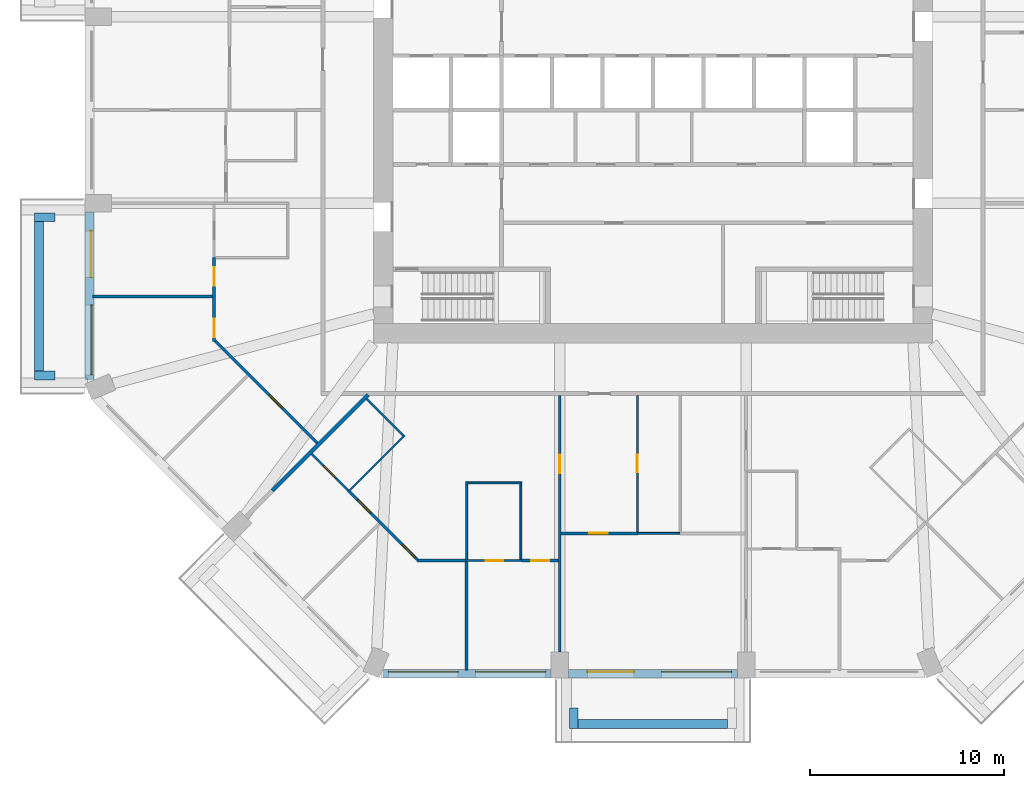
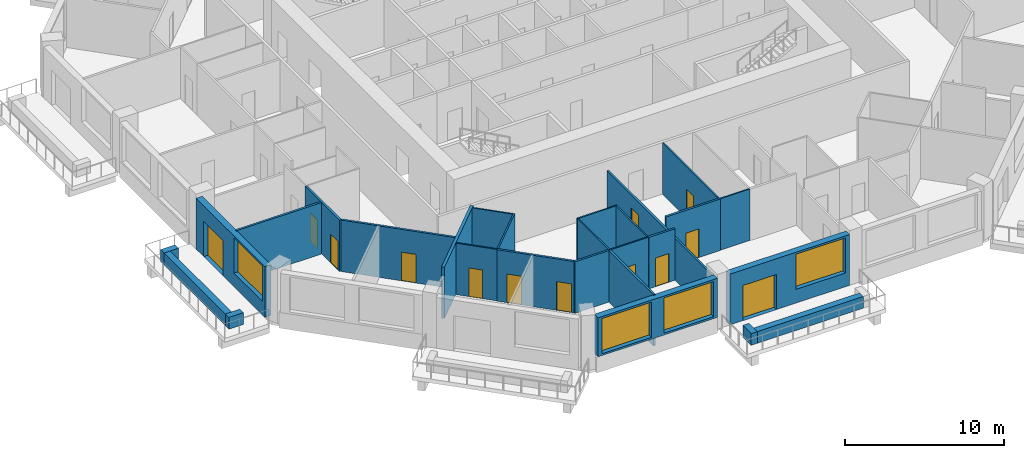
# One storey, part 3 of 13: 27 walls, 13 doors, 4 windows, 17 openings.
"""IFC4 building model written with IfcOpenShell, lengths in metres."""

from ifc_helpers import new_model, si_unit, direction, frame, frame_2d, origin, place, context, subcontext, project, spatial, rectangle, extrude, material, layer, layer_set, type_object, element, fill, save


model = new_model("IFC4")

# Units and contexts
model_context = context("Model", 3, precision=1e-05, world=origin(), true_north=direction((0.0, 1.0)))
body_context = subcontext(model_context, "Body", "Model", "MODEL_VIEW")
ifc_project = project(units=[si_unit("LENGTHUNIT", "METRE"), si_unit("AREAUNIT", "SQUARE_METRE"), si_unit("VOLUMEUNIT", "CUBIC_METRE"), si_unit("PLANEANGLEUNIT", "RADIAN"), si_unit("MASSUNIT", "GRAM", prefix="KILO")], contexts=[model_context])

# Site, building, storey
site_placement = place(None, origin())
site = spatial("IfcSite", under=ifc_project, at=site_placement, CompositionType="ELEMENT")
building_placement = place(site_placement, origin())
building = spatial("IfcBuilding", under=site, at=building_placement, Name="Msitu Wima Residences", CompositionType="ELEMENT")
storey_placement = place(building_placement, frame((0.0, 0.0, 63.300048828125)))
storey = spatial("IfcBuildingStorey", under=building, at=storey_placement, Name="L14", CompositionType="ELEMENT", Elevation=63.300048828125)

# Walls
ifc_material_1 = material(Name="Facing brick")
ifc_layer_1 = layer(ifc_material_1, 0.06494140625, Name="Facing brick")
ifc_material_2 = material(Name="Concrete C40/50", Category="concrete")
ifc_layer_2 = layer(ifc_material_2, 0.156005859375, Name="Concrete C40/50")
ifc_material_3 = material(Name="Waterproofing membrane")
ifc_layer_3 = layer(ifc_material_3, 0.00390625, Name="Waterproofing membrane")
ifc_material_4 = material(Name="Planting soil and planting")
ifc_layer_4 = layer(ifc_material_4, 0.22509765625, Name="Planting soil and planting")
ifc_layer_set_1 = layer_set([ifc_layer_1, ifc_layer_2, ifc_layer_3, ifc_layer_4], Name="Concrete C40/50")
wall_type_1 = type_object("IfcWallType", Name="Balcony planter PLANTER PL450", PredefinedType="USERDEFINED", material=ifc_layer_set_1)
wall_1_placement = place(storey_placement, frame((-31.625, -5.75, 0.0), z_axis=(0.0, 0.0, 1.0), x_axis=(0.0, -1.0, 0.0)))
element("IfcWall", 1, at=wall_1_placement, inside=storey, type_object=wall_type_1, Name="Balcony planter W2 L14", ObjectType="PLANTER", PredefinedType="USERDEFINED", context=body_context, shape_type="SweptSolid", body=[
    extrude(rectangle(XDim=7.699951171875, YDim=0.449951171875, at=frame_2d((3.85009765625, 0.0))), origin(), (0.0, 0.0, 1.0), 0.89990234375),
])
for number, where, z_axis, x_axis, name in (
    (2, (-30.800048828125, -5.52490234375, 0.0), (0.0, 0.0, 1.0), (-1.0, 0.0, 0.0), "Balcony planter W2 L14"),
    (3, (-30.800048828125, -13.675048828125, 0.0), (0.0, 0.0, 1.0), (-1.0, 0.0, 0.0), "Balcony planter W2 L14"),
):
    element("IfcWall", number, at=place(storey_placement, frame(where, z_axis=z_axis, x_axis=x_axis)), inside=storey, type_object=wall_type_1, Name=name, ObjectType="PLANTER", PredefinedType="USERDEFINED", context=body_context, shape_type="SweptSolid", body=[
        extrude(rectangle(XDim=1.050048828125, YDim=0.449951171875, at=frame_2d((0.52490234375, 0.0))), origin(), (0.0, 0.0, 1.0), 0.89990234375),
    ])
wall_2_placement = place(storey_placement, frame((-3.85009765625, -31.625, 0.0), z_axis=(0.0, 0.0, 1.0), x_axis=(1.0, 0.0, 0.0)))
element("IfcWall", 4, at=wall_2_placement, inside=storey, type_object=wall_type_1, Name="Balcony planter S1 L14", ObjectType="PLANTER", PredefinedType="USERDEFINED", context=body_context, shape_type="SweptSolid", body=[
    extrude(rectangle(XDim=7.7001953125, YDim=0.449951171875, at=frame_2d((3.85009765625, 0.0))), origin(), (0.0, 0.0, 1.0), 0.89990234375),
])
wall_3_placement = place(storey_placement, frame((-4.074951171875, -30.800048828125, 0.0), z_axis=(0.0, 0.0, 1.0), x_axis=(0.0, -1.0, 0.0)))
element("IfcWall", 5, at=wall_3_placement, inside=storey, type_object=wall_type_1, Name="Balcony planter S1 L14", ObjectType="PLANTER", PredefinedType="USERDEFINED", context=body_context, shape_type="SweptSolid", body=[
    extrude(rectangle(XDim=1.050048828125, YDim=0.449951171875, at=frame_2d((0.52490234375, 0.0))), origin(), (0.0, 0.0, 1.0), 0.89990234375),
])

# Wall, openings, door, window
ifc_material_5 = material(Name="Brick (red buff mix)", Category="masonry")
ifc_layer_5 = layer(ifc_material_5, 0.449951171875)
ifc_layer_set_2 = layer_set([ifc_layer_5], Name="Brick (red buff mix)")
wall_type_2 = type_object("IfcWallType", Name="Brick infill wall BW450", PredefinedType="SOLIDWALL", material=ifc_layer_set_2)
wall_4_placement = place(storey_placement, frame((-29.02490234375, -5.25, 0.0), z_axis=(0.0, 0.0, 1.0), x_axis=(0.0, -1.0, 0.0)))
wall_4 = element("IfcWall", 6, at=wall_4_placement, inside=storey, type_object=wall_type_2, Name="Brick infill wall L14 W2", PredefinedType="SOLIDWALL", context=body_context, shape_type="SweptSolid", body=[
    extrude(rectangle(XDim=8.662841796875, YDim=0.449951171875, at=frame_2d((4.33154296875, 0.0))), origin(), (0.0, 0.0, 1.0), 3.89990234375),
])
opening_1_placement = place(wall_4_placement, frame((0.9658203125, 0.0, 0.0)))
opening_1 = element("IfcOpeningElement", 7, at=opening_1_placement, cuts=wall_4, Name="Opening D13-15.010", PredefinedType="OPENING", context=body_context, shape_type="SweptSolid", body=[
    extrude(rectangle(XDim=2.39990234375, YDim=2.699951171875, at=frame_2d((1.199951171875, 1.35009765625))), frame((0.0, 0.23486328125, 0.0), z_axis=(0.0, -1.0, 0.0), x_axis=(1.0, 0.0, 0.0)), (0.0, 0.0, 1.0), 0.469970703125),
])
opening_2_placement = place(wall_4_placement, frame((4.781494140625, 0.0, 1.050048828125)))
opening_2 = element("IfcOpeningElement", 8, at=opening_2_placement, cuts=wall_4, Name="Opening W13-15.030", PredefinedType="OPENING", context=body_context, shape_type="SweptSolid", body=[
    extrude(rectangle(XDim=3.60009765625, YDim=2.699951171875, at=frame_2d((1.800048828125, 1.35009765625))), frame((0.0, 0.23486328125, 0.0), z_axis=(0.0, -1.0, 0.0), x_axis=(1.0, 0.0, 0.0)), (0.0, 0.0, 1.0), 0.469970703125),
])
ifc_material_6 = material(Name="Anodised aluminium, bronze finish, clear low-emissivity double glazing", Category="aluminium")
door_type_1 = type_object("IfcDoorType", Name="Balcony door D2400x2700", OperationType="SLIDING_TO_LEFT", PredefinedType="DOOR", material=ifc_material_6)
door_1_placement = place(opening_1_placement, origin())
door_1 = element("IfcDoor", 9, at=door_1_placement, inside=storey, type_object=door_type_1, Name="Balcony door L14 W2", OperationType="SINGLE_SWING_LEFT", OverallHeight=2.699951171875, OverallWidth=2.39990234375, PredefinedType="DOOR", context=body_context, shape_type="SweptSolid", body=[
    extrude(rectangle(XDim=2.39990234375, YDim=2.699951171875, at=frame_2d((1.199951171875, 1.35009765625))), frame((0.0, 0.1298828125, 0.0), z_axis=(0.0, -1.0, 0.0), x_axis=(1.0, 0.0, 0.0)), (0.0, 0.0, 1.0), 0.050048828125),
])
fill(opening_1, door_1)
window_type = type_object("IfcWindowType", Name="Window W3600x2700", PartitioningType="DOUBLE_PANEL_VERTICAL", PredefinedType="WINDOW", material=ifc_material_6)
window_1_placement = place(opening_2_placement, origin())
window_1 = element("IfcWindow", 10, at=window_1_placement, inside=storey, type_object=window_type, Name="Window L14 W2.2", OverallHeight=2.699951171875, OverallWidth=3.60009765625, PartitioningType="SINGLE_PANEL", PredefinedType="WINDOW", context=body_context, shape_type="SweptSolid", body=[
    extrude(rectangle(XDim=3.60009765625, YDim=2.699951171875, at=frame_2d((1.800048828125, 1.35009765625))), frame((0.0, 0.135009765625, 0.0), z_axis=(0.0, -1.0, 0.0), x_axis=(1.0, 0.0, 0.0)), (0.0, 0.0, 1.0), 0.06005859375),
])
fill(opening_2, window_1)

# Wall, openings, windows
wall_5_placement = place(storey_placement, frame((-13.912841796875, -29.02490234375, 0.89990234375), z_axis=(0.0, 0.0, 1.0), x_axis=(1.0, 0.0, 0.0)))
wall_5 = element("IfcWall", 11, at=wall_5_placement, inside=storey, type_object=wall_type_2, Name="Brick infill wall L14 S0", PredefinedType="SOLIDWALL", context=body_context, shape_type="SweptSolid", body=[
    extrude(rectangle(XDim=8.662841796875, YDim=0.449951171875, at=frame_2d((4.33154296875, 0.0))), origin(), (0.0, 0.0, 1.0), 3.0),
])
opening_3_placement = place(wall_5_placement, frame((0.281494140625, 0.0, 0.14990234375)))
opening_3 = element("IfcOpeningElement", 12, at=opening_3_placement, cuts=wall_5, Name="Opening W13-15.016", PredefinedType="OPENING", context=body_context, shape_type="SweptSolid", body=[
    extrude(rectangle(XDim=3.60009765625, YDim=2.699951171875, at=frame_2d((1.800048828125, 1.35009765625))), frame((0.0, 0.23486328125, 0.0), z_axis=(0.0, -1.0, 0.0), x_axis=(1.0, 0.0, 0.0)), (0.0, 0.0, 1.0), 0.469970703125),
])
opening_4_placement = place(wall_5_placement, frame((4.781494140625, 0.0, 0.14990234375)))
opening_4 = element("IfcOpeningElement", 13, at=opening_4_placement, cuts=wall_5, Name="Opening W13-15.017", PredefinedType="OPENING", context=body_context, shape_type="SweptSolid", body=[
    extrude(rectangle(XDim=3.60009765625, YDim=2.699951171875, at=frame_2d((1.800048828125, 1.35009765625))), frame((0.0, 0.23486328125, 0.0), z_axis=(0.0, -1.0, 0.0), x_axis=(1.0, 0.0, 0.0)), (0.0, 0.0, 1.0), 0.469970703125),
])
window_2_placement = place(opening_3_placement, origin())
window_2 = element("IfcWindow", 14, at=window_2_placement, inside=storey, type_object=window_type, Name="Window L14 S0.1", OverallHeight=2.699951171875, OverallWidth=3.60009765625, PartitioningType="SINGLE_PANEL", PredefinedType="WINDOW", context=body_context, shape_type="SweptSolid", body=[
    extrude(rectangle(XDim=3.60009765625, YDim=2.699951171875, at=frame_2d((1.800048828125, 1.35009765625))), frame((0.0, 0.135009765625, 0.0), z_axis=(0.0, -1.0, 0.0), x_axis=(1.0, 0.0, 0.0)), (0.0, 0.0, 1.0), 0.06005859375),
])
fill(opening_3, window_2)
window_3_placement = place(opening_4_placement, origin())
window_3 = element("IfcWindow", 15, at=window_3_placement, inside=storey, type_object=window_type, Name="Window L14 S0.2", OverallHeight=2.699951171875, OverallWidth=3.60009765625, PartitioningType="SINGLE_PANEL", PredefinedType="WINDOW", context=body_context, shape_type="SweptSolid", body=[
    extrude(rectangle(XDim=3.60009765625, YDim=2.699951171875, at=frame_2d((1.800048828125, 1.35009765625))), frame((0.0, 0.135009765625, 0.0), z_axis=(0.0, -1.0, 0.0), x_axis=(1.0, 0.0, 0.0)), (0.0, 0.0, 1.0), 0.06005859375),
])
fill(opening_4, window_3)

# Wall, openings, door, window
wall_6_placement = place(storey_placement, frame((-4.35009765625, -29.02490234375, 0.0), z_axis=(0.0, 0.0, 1.0), x_axis=(1.0, 0.0, 0.0)))
wall_6 = element("IfcWall", 16, at=wall_6_placement, inside=storey, type_object=wall_type_2, Name="Brick infill wall L14 S1", PredefinedType="SOLIDWALL", context=body_context, shape_type="SweptSolid", body=[
    extrude(rectangle(XDim=8.7001953125, YDim=0.449951171875, at=frame_2d((4.35009765625, 0.0))), origin(), (0.0, 0.0, 1.0), 3.89990234375),
])
opening_5_placement = place(wall_6_placement, frame((0.97509765625, 0.0, 0.0)))
opening_5 = element("IfcOpeningElement", 17, at=opening_5_placement, cuts=wall_6, Name="Opening D13-15.006", PredefinedType="OPENING", context=body_context, shape_type="SweptSolid", body=[
    extrude(rectangle(XDim=2.39990234375, YDim=2.699951171875, at=frame_2d((1.199951171875, 1.35009765625))), frame((0.0, 0.23486328125, 0.0), z_axis=(0.0, -1.0, 0.0), x_axis=(1.0, 0.0, 0.0)), (0.0, 0.0, 1.0), 0.469970703125),
])
opening_6_placement = place(wall_6_placement, frame((4.800048828125, 0.0, 1.050048828125)))
opening_6 = element("IfcOpeningElement", 18, at=opening_6_placement, cuts=wall_6, Name="Opening W13-15.018", PredefinedType="OPENING", context=body_context, shape_type="SweptSolid", body=[
    extrude(rectangle(XDim=3.60009765625, YDim=2.699951171875, at=frame_2d((1.800048828125, 1.35009765625))), frame((0.0, 0.23486328125, 0.0), z_axis=(0.0, -1.0, 0.0), x_axis=(1.0, 0.0, 0.0)), (0.0, 0.0, 1.0), 0.469970703125),
])
door_2_placement = place(opening_5_placement, origin())
door_2 = element("IfcDoor", 19, at=door_2_placement, inside=storey, type_object=door_type_1, Name="Balcony door L14 S1", OperationType="SINGLE_SWING_LEFT", OverallHeight=2.699951171875, OverallWidth=2.39990234375, PredefinedType="DOOR", context=body_context, shape_type="SweptSolid", body=[
    extrude(rectangle(XDim=2.39990234375, YDim=2.699951171875, at=frame_2d((1.199951171875, 1.35009765625))), frame((0.0, 0.1298828125, 0.0), z_axis=(0.0, -1.0, 0.0), x_axis=(1.0, 0.0, 0.0)), (0.0, 0.0, 1.0), 0.050048828125),
])
fill(opening_5, door_2)
window_4_placement = place(opening_6_placement, origin())
window_4 = element("IfcWindow", 20, at=window_4_placement, inside=storey, type_object=window_type, Name="Window L14 S1.2", OverallHeight=2.699951171875, OverallWidth=3.60009765625, PartitioningType="SINGLE_PANEL", PredefinedType="WINDOW", context=body_context, shape_type="SweptSolid", body=[
    extrude(rectangle(XDim=3.60009765625, YDim=2.699951171875, at=frame_2d((1.800048828125, 1.35009765625))), frame((0.0, 0.135009765625, 0.0), z_axis=(0.0, -1.0, 0.0), x_axis=(1.0, 0.0, 0.0)), (0.0, 0.0, 1.0), 0.06005859375),
])
fill(opening_6, window_4)

# Wall
ifc_material_7 = material(Name="Plaster")
ifc_layer_6 = layer(ifc_material_7, 0.011962890625, Name="Plaster")
ifc_material_8 = material(Name="Concrete blockwork", Category="masonry")
ifc_layer_7 = layer(ifc_material_8, 0.1259765625, Name="Concrete blockwork")
ifc_layer_8 = layer(ifc_material_7, 0.011962890625, Name="Plaster")
ifc_layer_set_3 = layer_set([ifc_layer_6, ifc_layer_7, ifc_layer_8], Name="Concrete blockwork")
wall_type_3 = type_object("IfcWallType", Name="Partition PW150", PredefinedType="PARTITIONING", material=ifc_layer_set_3)
wall_7_placement = place(storey_placement, frame((-28.85498046875, -9.60009765625, 0.0), z_axis=(0.0, 0.0, 1.0), x_axis=(1.0, 0.0, 0.0)))
element("IfcWall", 21, at=wall_7_placement, inside=storey, type_object=wall_type_3, Name="Partition", PredefinedType="PARTITIONING", context=body_context, shape_type="SweptSolid", body=[
    extrude(rectangle(XDim=6.179931640625, YDim=0.14990234375, at=frame_2d((3.08984375, 0.0))), origin(), (0.0, 0.0, 1.0), 3.949951171875),
])

# Wall, openings, doors
wall_8_placement = place(storey_placement, frame((-22.60009765625, -11.906982421875, 0.0), z_axis=(0.0, 0.0, 1.0), x_axis=(0.0, 1.0, 0.0)))
wall_8 = element("IfcWall", 22, at=wall_8_placement, inside=storey, type_object=wall_type_3, Name="Partition", PredefinedType="PARTITIONING", context=body_context, shape_type="SweptSolid", body=[
    extrude(rectangle(XDim=4.306884765625, YDim=0.14990234375, at=frame_2d((2.1533203125, 0.0))), origin(), (0.0, 0.0, 1.0), 3.949951171875),
])
opening_7_placement = place(wall_8_placement, frame((2.85009765625, 0.0, 0.0)))
opening_7 = element("IfcOpeningElement", 23, at=opening_7_placement, cuts=wall_8, Name="Opening D13-15.052", PredefinedType="OPENING", context=body_context, shape_type="SweptSolid", body=[
    extrude(rectangle(XDim=0.949951171875, YDim=2.199951171875, at=frame_2d((0.47509765625, 1.10009765625))), frame((0.0, 0.0849609375, 0.0), z_axis=(0.0, -1.0, 0.0), x_axis=(1.0, 0.0, 0.0)), (0.0, 0.0, 1.0), 0.169921875),
])
opening_8_placement = place(wall_8_placement, frame((0.199951171875, 0.0, 0.0)))
opening_8 = element("IfcOpeningElement", 24, at=opening_8_placement, cuts=wall_8, Name="Opening D13-15.055", PredefinedType="OPENING", context=body_context, shape_type="SweptSolid", body=[
    extrude(rectangle(XDim=0.949951171875, YDim=2.199951171875, at=frame_2d((0.47509765625, 1.10009765625))), frame((0.0, 0.0849609375, 0.0), z_axis=(0.0, -1.0, 0.0), x_axis=(1.0, 0.0, 0.0)), (0.0, 0.0, 1.0), 0.169921875),
])
ifc_material_9 = material(Name="Timber flush door", Category="wood")
door_type_2 = type_object("IfcDoorType", Name="Room door D12 950x2200", OperationType="SINGLE_SWING_LEFT", PredefinedType="DOOR", material=ifc_material_9)
door_3_placement = place(opening_7_placement, origin())
door_3 = element("IfcDoor", 25, at=door_3_placement, inside=storey, type_object=door_type_2, Name="Room door", OperationType="SINGLE_SWING_LEFT", OverallHeight=2.199951171875, OverallWidth=0.949951171875, PredefinedType="DOOR", context=body_context, shape_type="SweptSolid", body=[
    extrude(rectangle(XDim=0.949951171875, YDim=2.199951171875, at=frame_2d((0.47509765625, 1.10009765625))), frame((0.0, 0.02490234375, 0.0), z_axis=(0.0, -1.0, 0.0), x_axis=(1.0, 0.0, 0.0)), (0.0, 0.0, 1.0), 0.050048828125),
])
fill(opening_7, door_3)
door_4_placement = place(opening_8_placement, origin())
door_4 = element("IfcDoor", 26, at=door_4_placement, inside=storey, type_object=door_type_2, Name="Room door", OperationType="SINGLE_SWING_RIGHT", OverallHeight=2.199951171875, OverallWidth=0.949951171875, PredefinedType="DOOR", context=body_context, shape_type="SweptSolid", body=[
    extrude(rectangle(XDim=0.949951171875, YDim=2.199951171875, at=frame_2d((0.47509765625, 1.10009765625))), frame((0.0, 0.02490234375, 0.0), z_axis=(0.0, -1.0, 0.0), x_axis=(1.0, 0.0, 0.0)), (0.0, 0.0, 1.0), 0.050048828125),
])
fill(opening_8, door_4)

# Wall, opening, door
wall_9_placement = place(storey_placement, frame((-22.546875, -11.885009765625, 0.0), z_axis=(0.0, 0.0, 1.0), x_axis=(0.707106781187, -0.707106781187, 0.0)))
wall_9 = element("IfcWall", 27, at=wall_9_placement, inside=storey, type_object=wall_type_3, Name="Partition", PredefinedType="PARTITIONING", context=body_context, shape_type="SweptSolid", body=[
    extrude(rectangle(XDim=7.439208984375, YDim=0.14990234375, at=frame_2d((3.7197265625, 0.0))), origin(), (0.0, 0.0, 1.0), 3.949951171875),
])
opening_9_placement = place(wall_9_placement, frame((3.949951171875, 0.0, 0.0)))
opening_9 = element("IfcOpeningElement", 28, at=opening_9_placement, cuts=wall_9, Name="Opening D13-15.054", PredefinedType="OPENING", context=body_context, shape_type="SweptSolid", body=[
    extrude(rectangle(XDim=0.949951171875, YDim=2.199951171875, at=frame_2d((0.47509765625, 1.10009765625))), frame((0.0, 0.0849609375, 0.0), z_axis=(0.0, -1.0, 0.0), x_axis=(1.0, 0.0, 0.0)), (0.0, 0.0, 1.0), 0.169921875),
])
door_5_placement = place(opening_9_placement, origin())
door_5 = element("IfcDoor", 29, at=door_5_placement, inside=storey, type_object=door_type_2, Name="Room door", OperationType="SINGLE_SWING_RIGHT", OverallHeight=2.199951171875, OverallWidth=0.949951171875, PredefinedType="DOOR", context=body_context, shape_type="SweptSolid", body=[
    extrude(rectangle(XDim=0.949951171875, YDim=2.199951171875, at=frame_2d((0.47509765625, 1.10009765625))), frame((0.0, 0.02490234375, 0.0), z_axis=(0.0, -1.0, 0.0), x_axis=(1.0, 0.0, 0.0)), (0.0, 0.0, 1.0), 0.050048828125),
])
fill(opening_9, door_5)

# Wall, openings, doors
wall_10_placement = place(storey_placement, frame((-15.674560546875, -19.60595703125, 0.0), z_axis=(0.0, 0.0, 1.0), x_axis=(0.707106781187, -0.707106781187, 0.0)))
wall_10 = element("IfcWall", 30, at=wall_10_placement, inside=storey, type_object=wall_type_3, Name="Partition", PredefinedType="PARTITIONING", context=body_context, shape_type="SweptSolid", body=[
    extrude(rectangle(XDim=5.0078125, YDim=0.14990234375, at=frame_2d((2.50390625, 0.0))), origin(), (0.0, 0.0, 1.0), 3.949951171875),
])
opening_10_placement = place(wall_10_placement, frame((0.64990234375, 0.0, 0.0)))
opening_10 = element("IfcOpeningElement", 31, at=opening_10_placement, cuts=wall_10, Name="Opening D13-15.068", PredefinedType="OPENING", context=body_context, shape_type="SweptSolid", body=[
    extrude(rectangle(XDim=0.949951171875, YDim=2.199951171875, at=frame_2d((0.47509765625, 1.10009765625))), frame((0.0, 0.0849609375, 0.0), z_axis=(0.0, -1.0, 0.0), x_axis=(1.0, 0.0, 0.0)), (0.0, 0.0, 1.0), 0.169921875),
])
opening_11_placement = place(wall_10_placement, frame((3.89990234375, 0.0, 0.0)))
opening_11 = element("IfcOpeningElement", 32, at=opening_11_placement, cuts=wall_10, Name="Opening D13-15.073", PredefinedType="OPENING", context=body_context, shape_type="SweptSolid", body=[
    extrude(rectangle(XDim=0.949951171875, YDim=2.199951171875, at=frame_2d((0.47509765625, 1.10009765625))), frame((0.0, 0.0849609375, 0.0), z_axis=(0.0, -1.0, 0.0), x_axis=(1.0, 0.0, 0.0)), (0.0, 0.0, 1.0), 0.169921875),
])
door_6_placement = place(opening_10_placement, origin())
door_6 = element("IfcDoor", 33, at=door_6_placement, inside=storey, type_object=door_type_2, Name="Room door", OperationType="SINGLE_SWING_LEFT", OverallHeight=2.199951171875, OverallWidth=0.949951171875, PredefinedType="DOOR", context=body_context, shape_type="SweptSolid", body=[
    extrude(rectangle(XDim=0.949951171875, YDim=2.199951171875, at=frame_2d((0.47509765625, 1.10009765625))), frame((0.0, 0.02490234375, 0.0), z_axis=(0.0, -1.0, 0.0), x_axis=(1.0, 0.0, 0.0)), (0.0, 0.0, 1.0), 0.050048828125),
])
fill(opening_10, door_6)
door_7_placement = place(opening_11_placement, origin())
door_7 = element("IfcDoor", 34, at=door_7_placement, inside=storey, type_object=door_type_2, Name="Room door", OperationType="SINGLE_SWING_RIGHT", OverallHeight=2.199951171875, OverallWidth=0.949951171875, PredefinedType="DOOR", context=body_context, shape_type="SweptSolid", body=[
    extrude(rectangle(XDim=0.949951171875, YDim=2.199951171875, at=frame_2d((0.47509765625, 1.10009765625))), frame((0.0, 0.02490234375, 0.0), z_axis=(0.0, -1.0, 0.0), x_axis=(1.0, 0.0, 0.0)), (0.0, 0.0, 1.0), 0.050048828125),
])
fill(opening_11, door_7)

# Walls
wall_11_placement = place(storey_placement, frame((-12.155517578125, -23.199951171875, 0.0), z_axis=(0.0, 0.0, 1.0), x_axis=(1.0, 0.0, 0.0)))
element("IfcWall", 35, at=wall_11_placement, inside=storey, type_object=wall_type_3, Name="Partition", PredefinedType="PARTITIONING", context=body_context, shape_type="SweptSolid", body=[
    extrude(rectangle(XDim=2.535400390625, YDim=0.14990234375, at=frame_2d((1.267578125, 0.0))), origin(), (0.0, 0.0, 1.0), 3.949951171875),
])
wall_12_placement = place(storey_placement, frame((-9.60009765625, -28.85498046875, 0.0), z_axis=(0.0, 0.0, 1.0), x_axis=(0.0, 1.0, 0.0)))
element("IfcWall", 36, at=wall_12_placement, inside=storey, type_object=wall_type_3, Name="Partition", PredefinedType="PARTITIONING", context=body_context, shape_type="SweptSolid", body=[
    extrude(rectangle(XDim=5.675048828125, YDim=0.14990234375, at=frame_2d((2.83740234375, 0.0))), origin(), (0.0, 0.0, 1.0), 3.949951171875),
])

# Wall, opening, door
wall_13_placement = place(storey_placement, frame((-6.780029296875, -23.199951171875, 0.0), z_axis=(0.0, 0.0, 1.0), x_axis=(1.0, 0.0, 0.0)))
wall_13 = element("IfcWall", 37, at=wall_13_placement, inside=storey, type_object=wall_type_3, Name="Partition", PredefinedType="PARTITIONING", context=body_context, shape_type="SweptSolid", body=[
    extrude(rectangle(XDim=1.905029296875, YDim=0.14990234375, at=frame_2d((0.95263671875, 0.0))), origin(), (0.0, 0.0, 1.0), 3.949951171875),
])
opening_12_placement = place(wall_13_placement, frame((0.5, 0.0, 0.0)))
opening_12 = element("IfcOpeningElement", 38, at=opening_12_placement, cuts=wall_13, Name="Opening D13-15.070", PredefinedType="OPENING", context=body_context, shape_type="SweptSolid", body=[
    extrude(rectangle(XDim=0.949951171875, YDim=2.199951171875, at=frame_2d((0.47509765625, 1.10009765625))), frame((0.0, 0.0849609375, 0.0), z_axis=(0.0, -1.0, 0.0), x_axis=(1.0, 0.0, 0.0)), (0.0, 0.0, 1.0), 0.169921875),
])
door_8_placement = place(opening_12_placement, origin())
door_8 = element("IfcDoor", 39, at=door_8_placement, inside=storey, type_object=door_type_2, Name="Room door", OperationType="SINGLE_SWING_LEFT", OverallHeight=2.199951171875, OverallWidth=0.949951171875, PredefinedType="DOOR", context=body_context, shape_type="SweptSolid", body=[
    extrude(rectangle(XDim=0.949951171875, YDim=2.199951171875, at=frame_2d((0.47509765625, 1.10009765625))), frame((0.0, 0.02490234375, 0.0), z_axis=(0.0, -1.0, 0.0), x_axis=(1.0, 0.0, 0.0)), (0.0, 0.0, 1.0), 0.050048828125),
])
fill(opening_12, door_8)

wall_14_placement = place(storey_placement, frame((-4.800048828125, -27.89990234375, 0.0), z_axis=(0.0, 0.0, 1.0), x_axis=(0.0, 1.0, 0.0)))
wall_14 = element("IfcWall", 40, at=wall_14_placement, inside=storey, type_object=wall_type_3, Name="Partition", PredefinedType="PARTITIONING", context=body_context, shape_type="SweptSolid", body=[
    extrude(rectangle(XDim=13.199951171875, YDim=0.14990234375, at=frame_2d((6.60009765625, 0.0))), origin(), (0.0, 0.0, 1.0), 3.199951171875),
])
opening_13_placement = place(wall_14_placement, frame((9.199951171875, 0.0, 0.0)))
opening_13 = element("IfcOpeningElement", 41, at=opening_13_placement, cuts=wall_14, Name="Opening D13-15.065", PredefinedType="OPENING", context=body_context, shape_type="SweptSolid", body=[
    extrude(rectangle(XDim=0.949951171875, YDim=2.199951171875, at=frame_2d((0.47509765625, 1.10009765625))), frame((0.0, 0.0849609375, 0.0), z_axis=(0.0, -1.0, 0.0), x_axis=(1.0, 0.0, 0.0)), (0.0, 0.0, 1.0), 0.169921875),
])
door_9_placement = place(opening_13_placement, origin())
door_9 = element("IfcDoor", 42, at=door_9_placement, inside=storey, type_object=door_type_2, Name="Room door", OperationType="SINGLE_SWING_RIGHT", OverallHeight=2.199951171875, OverallWidth=0.949951171875, PredefinedType="DOOR", context=body_context, shape_type="SweptSolid", body=[
    extrude(rectangle(XDim=0.949951171875, YDim=2.199951171875, at=frame_2d((0.47509765625, 1.10009765625))), frame((0.0, 0.02490234375, 0.0), z_axis=(0.0, -1.0, 0.0), x_axis=(1.0, 0.0, 0.0)), (0.0, 0.0, 1.0), 0.050048828125),
])
fill(opening_13, door_9)

wall_15_placement = place(storey_placement, frame((-4.72509765625, -21.800048828125, 0.0), z_axis=(0.0, 0.0, 1.0), x_axis=(1.0, 0.0, 0.0)))
wall_15 = element("IfcWall", 43, at=wall_15_placement, inside=storey, type_object=wall_type_3, Name="Partition", PredefinedType="PARTITIONING", context=body_context, shape_type="SweptSolid", body=[
    extrude(rectangle(XDim=3.945068359375, YDim=0.14990234375, at=frame_2d((1.97265625, 0.0))), origin(), (0.0, 0.0, 1.0), 3.949951171875),
])
opening_14_placement = place(wall_15_placement, frame((1.449951171875, 0.0, 0.0)))
opening_14 = element("IfcOpeningElement", 44, at=opening_14_placement, cuts=wall_15, Name="Opening D13-15.066", PredefinedType="OPENING", context=body_context, shape_type="SweptSolid", body=[
    extrude(rectangle(XDim=0.949951171875, YDim=2.199951171875, at=frame_2d((0.47509765625, 1.10009765625))), frame((0.0, 0.0849609375, 0.0), z_axis=(0.0, -1.0, 0.0), x_axis=(1.0, 0.0, 0.0)), (0.0, 0.0, 1.0), 0.169921875),
])
door_10_placement = place(opening_14_placement, origin())
door_10 = element("IfcDoor", 45, at=door_10_placement, inside=storey, type_object=door_type_2, Name="Room door", OperationType="SINGLE_SWING_RIGHT", OverallHeight=2.199951171875, OverallWidth=0.949951171875, PredefinedType="DOOR", context=body_context, shape_type="SweptSolid", body=[
    extrude(rectangle(XDim=0.949951171875, YDim=2.199951171875, at=frame_2d((0.47509765625, 1.10009765625))), frame((0.0, 0.02490234375, 0.0), z_axis=(0.0, -1.0, 0.0), x_axis=(1.0, 0.0, 0.0)), (0.0, 0.0, 1.0), 0.050048828125),
])
fill(opening_14, door_10)

# Wall
ifc_layer_9 = layer(ifc_material_7, 0.011962890625, Name="Plaster")
ifc_material_10 = material(Name="Dense concrete blockwork", Category="masonry")
ifc_layer_10 = layer(ifc_material_10, 0.176025390625, Name="Dense concrete blockwork")
ifc_layer_11 = layer(ifc_material_7, 0.011962890625, Name="Plaster")
ifc_layer_set_4 = layer_set([ifc_layer_9, ifc_layer_10, ifc_layer_11], Name="Dense concrete blockwork")
wall_type_4 = type_object("IfcWallType", Name="Party wall PW200", PredefinedType="PARTITIONING", material=ifc_layer_set_4)
wall_16_placement = place(storey_placement, frame((-19.605712890625, -19.605712890625, 0.0), z_axis=(0.0, 0.0, 1.0), x_axis=(0.707106781187, 0.707106781187, 0.0)))
element("IfcWall", 46, at=wall_16_placement, inside=storey, type_object=wall_type_4, Name="Party wall", PredefinedType="PARTITIONING", context=body_context, shape_type="SweptSolid", body=[
    extrude(rectangle(XDim=6.979248046875, YDim=0.199951171875, at=frame_2d((3.48974609375, 0.0))), origin(), (0.0, 0.0, 1.0), 3.949951171875),
])

# Wall, opening, door
ifc_material_11 = material(Name="Ceramic tiles")
ifc_layer_12 = layer(ifc_material_11, 0.008056640625, Name="Ceramic tiles")
ifc_material_12 = material(Name="Moisture-resistant board")
ifc_layer_13 = layer(ifc_material_12, 0.012451171875, Name="Moisture-resistant board")
ifc_material_13 = material(Name="Light-gauge stud framing with mineral wool")
ifc_layer_14 = layer(ifc_material_13, 0.06689453125, Name="Light-gauge stud framing with mineral wool")
ifc_layer_15 = layer(ifc_material_12, 0.012451171875, Name="Moisture-resistant board")
ifc_layer_set_5 = layer_set([ifc_layer_12, ifc_layer_13, ifc_layer_14, ifc_layer_15], Name="Light-gauge stud framing with mineral wool")
wall_type_5 = type_object("IfcWallType", Name="Wet wall PW100", PredefinedType="PARTITIONING", material=ifc_layer_set_5)
wall_17_placement = place(storey_placement, frame((-17.569580078125, -17.7109375, 0.0), z_axis=(0.0, 0.0, 1.0), x_axis=(0.707106781187, -0.707106781187, 0.0)))
wall_17 = element("IfcWall", 47, at=wall_17_placement, inside=storey, type_object=wall_type_5, Name="Wet wall", PredefinedType="PARTITIONING", context=body_context, shape_type="SweptSolid", body=[
    extrude(rectangle(XDim=2.679931640625, YDim=0.10009765625, at=frame_2d((1.33984375, 0.0))), origin(), (0.0, 0.0, 1.0), 3.949951171875),
])
opening_15_placement = place(wall_17_placement, frame((0.85009765625, 0.0, 0.0)))
opening_15 = element("IfcOpeningElement", 48, at=opening_15_placement, cuts=wall_17, Name="Opening D13-15.069", PredefinedType="OPENING", context=body_context, shape_type="SweptSolid", body=[
    extrude(rectangle(XDim=0.89990234375, YDim=2.199951171875, at=frame_2d((0.449951171875, 1.10009765625))), frame((0.0, 0.06005859375, 0.0), z_axis=(0.0, -1.0, 0.0), x_axis=(1.0, 0.0, 0.0)), (0.0, 0.0, 1.0), 0.1201171875),
])
ifc_material_14 = material(Name="Timber flush door, moisture resistant", Category="wood")
door_type_3 = type_object("IfcDoorType", Name="Bathroom door D03 900x2200", OperationType="SINGLE_SWING_LEFT", PredefinedType="DOOR", material=ifc_material_14)
door_11_placement = place(opening_15_placement, origin())
door_11 = element("IfcDoor", 49, at=door_11_placement, inside=storey, type_object=door_type_3, Name="Bathroom door", OperationType="SINGLE_SWING_LEFT", OverallHeight=2.199951171875, OverallWidth=0.89990234375, PredefinedType="DOOR", context=body_context, shape_type="SweptSolid", body=[
    extrude(rectangle(XDim=0.89990234375, YDim=2.199951171875, at=frame_2d((0.449951171875, 1.10009765625))), frame((0.0, 0.02490234375, 0.0), z_axis=(0.0, -1.0, 0.0), x_axis=(1.0, 0.0, 0.0)), (0.0, 0.0, 1.0), 0.050048828125),
])
fill(opening_15, door_11)

# Walls
wall_18_placement = place(storey_placement, frame((-15.607177734375, -19.567138671875, 0.0), z_axis=(0.0, 0.0, 1.0), x_axis=(0.707076070127, 0.707137490912, 0.0)))
element("IfcWall", 50, at=wall_18_placement, inside=storey, type_object=wall_type_5, Name="Wet wall", PredefinedType="PARTITIONING", context=body_context, shape_type="SweptSolid", body=[
    extrude(rectangle(XDim=3.974853515625, YDim=0.10009765625, at=frame_2d((1.9873046875, 0.0))), origin(), (0.0, 0.0, 1.0), 3.949951171875),
])
wall_19_placement = place(storey_placement, frame((-14.740966796875, -14.882568359375, 0.0), z_axis=(0.0, 0.0, 1.0), x_axis=(0.707106781187, -0.707106781187, 0.0)))
element("IfcWall", 51, at=wall_19_placement, inside=storey, type_object=wall_type_5, Name="Wet wall", PredefinedType="PARTITIONING", context=body_context, shape_type="SweptSolid", body=[
    extrude(rectangle(XDim=2.64990234375, YDim=0.10009765625, at=frame_2d((1.324951171875, 0.0))), origin(), (0.0, 0.0, 1.0), 3.949951171875),
])

# Wall, opening, door
wall_20_placement = place(storey_placement, frame((-9.6201171875, -23.199951171875, 0.0), z_axis=(0.0, 0.0, 1.0), x_axis=(1.0, 0.0, 0.0)))
wall_20 = element("IfcWall", 52, at=wall_20_placement, inside=storey, type_object=wall_type_5, Name="Wet wall", PredefinedType="PARTITIONING", context=body_context, shape_type="SweptSolid", body=[
    extrude(rectangle(XDim=2.840087890625, YDim=0.10009765625, at=frame_2d((1.419921875, 0.0))), origin(), (0.0, 0.0, 1.0), 3.949951171875),
])
opening_16_placement = place(wall_20_placement, frame((1.0, 0.0, 0.0)))
opening_16 = element("IfcOpeningElement", 53, at=opening_16_placement, cuts=wall_20, Name="Opening D13-15.072", PredefinedType="OPENING", context=body_context, shape_type="SweptSolid", body=[
    extrude(rectangle(XDim=0.89990234375, YDim=2.199951171875, at=frame_2d((0.449951171875, 1.10009765625))), frame((0.0, 0.06005859375, 0.0), z_axis=(0.0, -1.0, 0.0), x_axis=(1.0, 0.0, 0.0)), (0.0, 0.0, 1.0), 0.1201171875),
])
door_12_placement = place(opening_16_placement, origin())
door_12 = element("IfcDoor", 54, at=door_12_placement, inside=storey, type_object=door_type_3, Name="Bathroom door", OperationType="SINGLE_SWING_RIGHT", OverallHeight=2.199951171875, OverallWidth=0.89990234375, PredefinedType="DOOR", context=body_context, shape_type="SweptSolid", body=[
    extrude(rectangle(XDim=0.89990234375, YDim=2.199951171875, at=frame_2d((0.449951171875, 1.10009765625))), frame((0.0, 0.02490234375, 0.0), z_axis=(0.0, -1.0, 0.0), x_axis=(1.0, 0.0, 0.0)), (0.0, 0.0, 1.0), 0.050048828125),
])
fill(opening_16, door_12)

# Walls
wall_21_placement = place(storey_placement, frame((-9.60009765625, -23.179931640625, 0.0), z_axis=(0.0, 0.0, 1.0), x_axis=(0.0, 1.0, 0.0)))
element("IfcWall", 55, at=wall_21_placement, inside=storey, type_object=wall_type_5, Name="Wet wall", PredefinedType="PARTITIONING", context=body_context, shape_type="SweptSolid", body=[
    extrude(rectangle(XDim=3.929931640625, YDim=0.10009765625, at=frame_2d((1.96484375, 0.0))), origin(), (0.0, 0.0, 1.0), 3.949951171875),
])
wall_22_placement = place(storey_placement, frame((-9.64990234375, -19.199951171875, 0.0), z_axis=(0.0, 0.0, 1.0), x_axis=(1.0, 0.0, 0.0)))
element("IfcWall", 56, at=wall_22_placement, inside=storey, type_object=wall_type_5, Name="Wet wall", PredefinedType="PARTITIONING", context=body_context, shape_type="SweptSolid", body=[
    extrude(rectangle(XDim=2.89990234375, YDim=0.10009765625, at=frame_2d((1.449951171875, 0.0))), origin(), (0.0, 0.0, 1.0), 3.949951171875),
])
wall_23_placement = place(storey_placement, frame((-6.800048828125, -23.125, 0.0), z_axis=(0.0, 0.0, 1.0), x_axis=(0.0, 1.0, 0.0)))
element("IfcWall", 57, at=wall_23_placement, inside=storey, type_object=wall_type_5, Name="Wet wall", PredefinedType="PARTITIONING", context=body_context, shape_type="SweptSolid", body=[
    extrude(rectangle(XDim=3.875, YDim=0.10009765625, at=frame_2d((1.9375, 0.0))), origin(), (0.0, 0.0, 1.0), 3.949951171875),
])
wall_24_placement = place(storey_placement, frame((-0.780029296875, -21.800048828125, 0.0), z_axis=(0.0, 0.0, 1.0), x_axis=(1.0, 0.0, 0.0)))
element("IfcWall", 58, at=wall_24_placement, inside=storey, type_object=wall_type_5, Name="Wet wall", PredefinedType="PARTITIONING", context=body_context, shape_type="SweptSolid", body=[
    extrude(rectangle(XDim=2.159912109375, YDim=0.10009765625, at=frame_2d((1.080078125, 0.0))), origin(), (0.0, 0.0, 1.0), 3.949951171875),
])

# Wall, opening, door
wall_25_placement = place(storey_placement, frame((-0.800048828125, -21.75, 0.0), z_axis=(0.0, 0.0, 1.0), x_axis=(0.0, 1.0, 0.0)))
wall_25 = element("IfcWall", 59, at=wall_25_placement, inside=storey, type_object=wall_type_5, Name="Wet wall", PredefinedType="PARTITIONING", context=body_context, shape_type="SweptSolid", body=[
    extrude(rectangle(XDim=7.050048828125, YDim=0.10009765625, at=frame_2d((3.52490234375, 0.0))), origin(), (0.0, 0.0, 1.0), 3.949951171875),
])
opening_17_placement = place(wall_25_placement, frame((3.10009765625, 0.0, 0.0)))
opening_17 = element("IfcOpeningElement", 60, at=opening_17_placement, cuts=wall_25, Name="Opening D13-15.067", PredefinedType="OPENING", context=body_context, shape_type="SweptSolid", body=[
    extrude(rectangle(XDim=0.89990234375, YDim=2.199951171875, at=frame_2d((0.449951171875, 1.10009765625))), frame((0.0, 0.06005859375, 0.0), z_axis=(0.0, -1.0, 0.0), x_axis=(1.0, 0.0, 0.0)), (0.0, 0.0, 1.0), 0.1201171875),
])
door_13_placement = place(opening_17_placement, origin())
door_13 = element("IfcDoor", 61, at=door_13_placement, inside=storey, type_object=door_type_3, Name="Bathroom door", OperationType="SINGLE_SWING_LEFT", OverallHeight=2.199951171875, OverallWidth=0.89990234375, PredefinedType="DOOR", context=body_context, shape_type="SweptSolid", body=[
    extrude(rectangle(XDim=0.89990234375, YDim=2.199951171875, at=frame_2d((0.449951171875, 1.10009765625))), frame((0.0, 0.02490234375, 0.0), z_axis=(0.0, -1.0, 0.0), x_axis=(1.0, 0.0, 0.0)), (0.0, 0.0, 1.0), 0.050048828125),
])
fill(opening_17, door_13)

save(model, "model.ifc")
